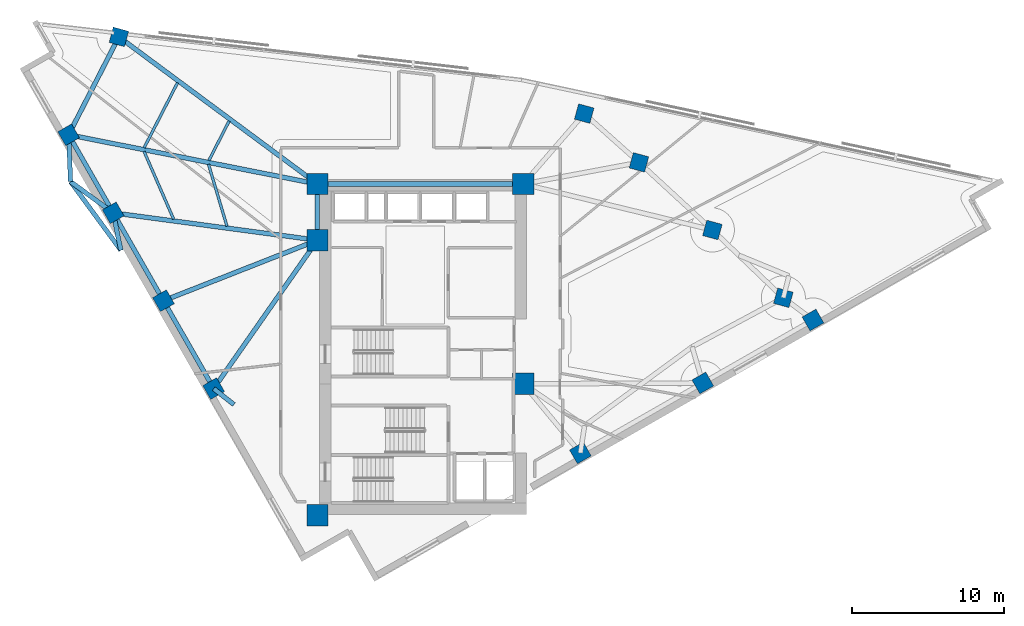
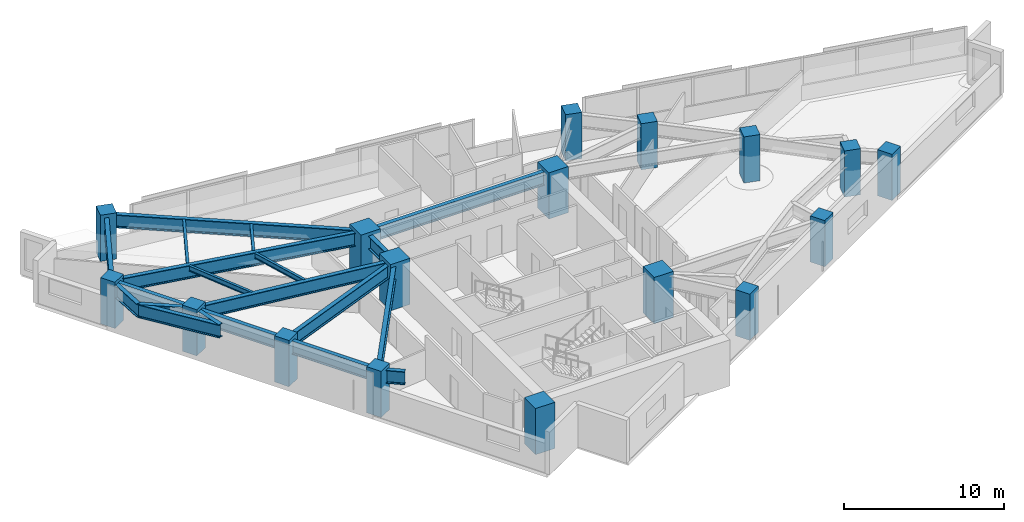
# One storey, part 1 of 13: 20 beams, 17 columns.
"""IFC4 building model written with IfcOpenShell, lengths in metres."""

import ifcopenshell
import ifcopenshell.guid

model = None  # the IFC model being written
_history = None  # IfcOwnerHistory: only IFC2X3 demands one
_inside = {}  # id of a spatial element -> (the spatial element, [elements in it])
_under = {}  # id of a project, library or spatial element -> (it, [spatial elements below it])
_declared = {}  # id of a project -> (the project, [libraries it declares])
_typed = {}  # id of a type object -> (the type object, [elements of that type])
_made_of = {}  # id of a material, layer set ... -> (it, [elements and type objects made of it])


def new_model(schema):
    """Start an empty IFC model of exactly this schema.

    Asked for "IFC4X3", IfcOpenShell would pick the latest addendum, in which some entities
    have other attributes; the version numbers below select the first issue.
    IFC2X3 requires an IfcOwnerHistory on every rooted entity: one is made here for all.
    """
    global model, _history
    if schema == "IFC4X3":
        model = ifcopenshell.file(schema_version=(4, 3, 0, 0))
    else:
        model = ifcopenshell.file(schema=schema)
    _inside.clear()
    _under.clear()
    _declared.clear()
    _typed.clear()
    _made_of.clear()
    _history = None
    if model.schema == "IFC2X3":
        org = make("IfcOrganization", Name="unknown")
        user = make(
            "IfcPersonAndOrganization",
            ThePerson=make("IfcPerson", FamilyName="unknown"),
            TheOrganization=org,
        )
        app = make(
            "IfcApplication",
            ApplicationDeveloper=org,
            Version="unknown",
            ApplicationFullName="unknown",
            ApplicationIdentifier="unknown",
        )
        _history = make(
            "IfcOwnerHistory",
            OwningUser=user,
            OwningApplication=app,
            ChangeAction="ADDED",
            CreationDate=0,
        )
    return model


def make(cls, **values):
    """One entity of the class cls with the attributes given. An attribute that is None is left unset."""
    return model.create_entity(
        cls, **{name: value for name, value in values.items() if value is not None}
    )


def rooted(cls, **values):
    """An entity with a GlobalId (a new one), such as an element, a storey or a relation."""
    return make(cls, GlobalId=ifcopenshell.guid.new(), OwnerHistory=_history, **values)


def si_unit(unit_type, name, prefix=None):
    """IfcSIUnit, for example si_unit("LENGTHUNIT", "METRE", prefix="MILLI")."""
    return make("IfcSIUnit", UnitType=unit_type, Prefix=prefix, Name=name)


def assignment(units):
    """IfcUnitAssignment: the units of a project."""
    return None if units is None else make("IfcUnitAssignment", Units=units)


def point(xyz):
    """IfcCartesianPoint."""
    return None if xyz is None else make("IfcCartesianPoint", Coordinates=xyz)


def direction(xyz):
    """IfcDirection."""
    return None if xyz is None else make("IfcDirection", DirectionRatios=xyz)


def frame(location, z_axis=None, x_axis=None):
    """IfcAxis2Placement3D, a coordinate frame: its origin and axes. An axis left out is left unset."""
    return make(
        "IfcAxis2Placement3D",
        Location=point(location),
        Axis=direction(z_axis),
        RefDirection=direction(x_axis),
    )


def frame_2d(location, x_axis=None):
    """IfcAxis2Placement2D, a coordinate frame in the plane: its origin and x axis."""
    return make(
        "IfcAxis2Placement2D", Location=point(location), RefDirection=direction(x_axis)
    )


def origin():
    """The frame at (0, 0, 0) with its axes left unset."""
    return frame((0.0, 0.0, 0.0))


def origin_2d():
    """The frame at (0, 0) in the plane with its x axis left unset."""
    return frame_2d((0.0, 0.0))


def place(relative_to, where):
    """IfcLocalPlacement: puts the frame where relative to a parent placement (None: the world)."""
    return make(
        "IfcLocalPlacement", PlacementRelTo=relative_to, RelativePlacement=where
    )


def context(
    kind, dimensions, precision=None, world=None, true_north=None, identifier=None
):
    """IfcGeometricRepresentationContext, for example the 3D "Model" context."""
    return make(
        "IfcGeometricRepresentationContext",
        ContextIdentifier=identifier,
        ContextType=kind,
        CoordinateSpaceDimension=dimensions,
        Precision=precision,
        WorldCoordinateSystem=world,
        TrueNorth=true_north,
    )


def subcontext(parent, identifier, kind, view, scale=None):
    """IfcGeometricRepresentationSubContext, for example "Body" below "Model"."""
    return make(
        "IfcGeometricRepresentationSubContext",
        ContextIdentifier=identifier,
        ContextType=kind,
        ParentContext=parent,
        TargetScale=scale,
        TargetView=view,
    )


def project(units=None, contexts=None):
    """IfcProject with its units and contexts."""
    return rooted(
        "IfcProject",
        Name="project",
        RepresentationContexts=contexts,
        UnitsInContext=assignment(units),
    )


def spatial(cls, under=None, at=None, **own):
    """A site, building, storey or space (cls), placed at a placement, below another one or the project."""
    s = rooted(cls, ObjectPlacement=at, **own)
    if under is not None:
        _under.setdefault(under.id(), (under, []))[1].append(s)
    return s


def profile(cls, at=None, kind="AREA", **sizes):
    """A parametric profile (cls). Its sizes go by their IFC names, for example OverallWidth=200.0."""
    return make(cls, ProfileType=kind, Position=at, **sizes)


def rectangle(**sizes):
    """IfcRectangleProfileDef."""
    return profile("IfcRectangleProfileDef", **sizes)


def i_section(**sizes):
    """IfcIShapeProfileDef."""
    return profile("IfcIShapeProfileDef", **sizes)


def extrude(swept, where, along, depth):
    """IfcExtrudedAreaSolid: the profile swept, set in the frame where, extruded along a direction by depth."""
    return make(
        "IfcExtrudedAreaSolid",
        SweptArea=swept,
        Position=where,
        ExtrudedDirection=direction(along),
        Depth=depth,
    )


def shape(context_of_items, identifier, shape_type, items):
    """IfcShapeRepresentation: the items that make up one representation, for example the "Body"."""
    return make(
        "IfcShapeRepresentation",
        ContextOfItems=context_of_items,
        RepresentationIdentifier=identifier,
        RepresentationType=shape_type,
        Items=items,
    )


def material(Name=None, Category=None):
    """IfcMaterial."""
    return make("IfcMaterial", Name=Name, Category=Category)


def material_profile(
    of_material, cross_section, Name=None, Category=None, Priority=None
):
    """IfcMaterialProfile: a cross section and its material."""
    return make(
        "IfcMaterialProfile",
        Name=Name,
        Material=of_material,
        Profile=cross_section,
        Priority=Priority,
        Category=Category,
    )


def profile_set(profiles, Name=None, composite=None):
    """IfcMaterialProfileSet."""
    return make(
        "IfcMaterialProfileSet",
        Name=Name,
        MaterialProfiles=profiles,
        CompositeProfile=composite,
    )


def made_of(thing, what):
    """Note that an element or type object is made of a material, layer set ...; save() writes the relation."""
    if what is not None:
        _made_of.setdefault(what.id(), (what, []))[1].append(thing)
    return thing


def type_object(cls, material=None, **own):
    """A type object (cls), such as IfcWallType, which elements share."""
    return made_of(rooted(cls, **own), material)


def element(
    cls,
    number,
    at=None,
    inside=None,
    cuts=None,
    type_object=None,
    material=None,
    context=None,
    identifier="Body",
    shape_type=None,
    held_by="IfcProductDefinitionShape",
    body=None,
    shapes=None,
    **own,
):
    """One element of the class cls, such as IfcWall. Its Tag is "e" and its number.

    at: its placement. inside: the storey or other place that contains it. cuts: it is an
    opening in that element (IfcRelVoidsElement). A single representation is given by context,
    identifier, shape_type and body (its items); several are given by shapes. held_by: the class
    of the entity that holds the representations. save() writes the other relations.
    """
    e = rooted(cls, Tag="e%d" % number, ObjectPlacement=at, **own)
    if body is not None:
        shapes = [shape(context, identifier, shape_type, body)]
    if shapes is not None:
        e.Representation = make(held_by, Representations=shapes)
    if inside is not None:
        _inside.setdefault(inside.id(), (inside, []))[1].append(e)
    if cuts is not None:
        rooted(
            "IfcRelVoidsElement", RelatingBuildingElement=cuts, RelatedOpeningElement=e
        )
    if type_object is not None:
        _typed.setdefault(type_object.id(), (type_object, []))[1].append(e)
    return made_of(e, material)


def aggregate(whole, parts):
    """IfcRelAggregates: a whole, such as a stair, and the parts it consists of."""
    return rooted("IfcRelAggregates", RelatingObject=whole, RelatedObjects=parts)


def save(model, path):
    """Write the relations noted so far, then the file.

    IfcRelAggregates (storeys below a building ...), IfcRelContainedInSpatialStructure (elements
    in a storey), IfcRelDefinesByType, IfcRelAssociatesMaterial and IfcRelDeclares: one each for
    every whole, place, type object, material and project.
    """
    for whole, parts in _under.values():
        aggregate(whole, parts)
    for where, things in _inside.values():
        rooted(
            "IfcRelContainedInSpatialStructure",
            RelatedElements=things,
            RelatingStructure=where,
        )
    for kind, things in _typed.values():
        rooted("IfcRelDefinesByType", RelatedObjects=things, RelatingType=kind)
    for what, things in _made_of.values():
        rooted("IfcRelAssociatesMaterial", RelatedObjects=things, RelatingMaterial=what)
    for by, libraries in _declared.values():
        rooted("IfcRelDeclares", RelatingContext=by, RelatedDefinitions=libraries)
    model.write(path)


model = new_model("IFC4")

# Units and contexts
model_context = context("Model", 3, precision=1e-05, world=origin(), true_north=direction((0.0, 1.0)))
body_context = subcontext(model_context, "Body", "Model", "MODEL_VIEW")
ifc_project = project(units=[si_unit("LENGTHUNIT", "METRE"), si_unit("AREAUNIT", "SQUARE_METRE"), si_unit("VOLUMEUNIT", "CUBIC_METRE"), si_unit("PLANEANGLEUNIT", "RADIAN"), si_unit("MASSUNIT", "GRAM", prefix="KILO")], contexts=[model_context])

# Site, building, storey
site_placement = place(None, origin())
site = spatial("IfcSite", under=ifc_project, at=site_placement, CompositionType="ELEMENT")
building_placement = place(site_placement, origin())
building = spatial("IfcBuilding", under=site, at=building_placement, Name="Narakoshi Arena Tower", CompositionType="ELEMENT")
storey_placement = place(building_placement, frame((0.0, 0.0, 229.06005859375)))
storey = spatial("IfcBuildingStorey", under=building, at=storey_placement, Name="L62", CompositionType="ELEMENT", Elevation=229.06005859375)

# Columns
ifc_material_1 = material(Name="Concrete C50/60", Category="concrete")
ifc_material_profile_1 = material_profile(ifc_material_1, rectangle(XDim=1.050048828125, YDim=1.050048828125, at=origin_2d()), Name="RC1050x1050")
ifc_profile_set_1 = profile_set([ifc_material_profile_1], Name="Concrete C50/60")
column_type_1 = type_object("IfcColumnType", Name="COL-RC1050", PredefinedType="COLUMN", material=ifc_profile_set_1)
for number, where, z_axis, x_axis, name in (
    (1, (89.30810546875, 38.798583984375, 0.0), (0.0, 0.0, 1.0), (0.868198814489, 0.496216503675, 0.0), "L62 Tower Perimeter Column TC01"),
    (2, (97.366943359375, 43.404541015625, 0.0), (0.0, 0.0, 1.0), (0.868198814489, 0.496216503675, 0.0), "L62 Tower Perimeter Column TC02"),
    (3, (104.619873046875, 47.550048828125, 0.0), (0.0, 0.0, 1.0), (0.868198814489, 0.496216503675, 0.0), "L62 Tower Perimeter Column TC03"),
    (4, (102.668701171875, 49.009521484375, 0.0), (0.0, 0.0, 1.0), (0.263031214458, 0.964787323829, 0.0), "L62 Tower Perimeter Column TC05"),
    (5, (97.997802734375, 53.47509765625, 0.0), (0.0, 0.0, 1.0), (0.263031214458, 0.964787323829, 0.0), "L62 Tower Perimeter Column TC06"),
    (6, (93.16650390625, 57.923828125, 0.0), (0.0, 0.0, 1.0), (0.263031214458, 0.964787323829, 0.0), "L62 Tower Perimeter Column TC07"),
    (7, (89.5615234375, 61.134765625, 0.0), (0.0, 0.0, 1.0), (0.263031214458, 0.964787323829, 0.0), "L62 Tower Perimeter Column TC08"),
    (8, (58.934326171875, 66.183837890625, 0.0), (0.0, 0.0, 1.0), (0.263031214458, 0.964787323829, 0.0), "L62 Tower Perimeter Column TC10"),
    (9, (55.624755859375, 59.74169921875, 0.0), (0.0, 0.0, 1.0), (-0.496216503675, 0.868198814489, 0.0), "L62 Tower Perimeter Column TC13"),
    (10, (58.562744140625, 54.60107421875, 0.0), (0.0, 0.0, 1.0), (-0.496216503675, 0.868198814489, 0.0), "L62 Tower Perimeter Column TC14"),
    (11, (61.8681640625, 48.81787109375, 0.0), (0.0, 0.0, 1.0), (-0.496216503675, 0.868198814489, 0.0), "L62 Tower Perimeter Column TC15"),
    (12, (65.17333984375, 43.03466796875, 0.0), (0.0, 0.0, 1.0), (-0.496216503675, 0.868198814489, 0.0), "L62 Tower Perimeter Column TC16"),
):
    element("IfcColumn", number, at=place(storey_placement, frame(where, z_axis=z_axis, x_axis=x_axis)), inside=storey, type_object=column_type_1, Name=name, PredefinedType="COLUMN", context=body_context, shape_type="SweptSolid", body=[
        extrude(rectangle(XDim=1.050048828125, YDim=1.050048828125, at=origin_2d()), origin(), (0.0, 0.0, 1.0), 3.52001953125),
    ])
ifc_material_2 = material(Name="Concrete C60/75", Category="concrete")
ifc_material_profile_2 = material_profile(ifc_material_2, rectangle(XDim=1.39990234375, YDim=1.39990234375, at=origin_2d()), Name="RC1400x1400")
ifc_profile_set_2 = profile_set([ifc_material_profile_2], Name="Concrete C60/75")
column_type_2 = type_object("IfcColumnType", Name="COL-RC1400", PredefinedType="COLUMN", material=ifc_profile_set_2)
for number, where, z_axis, x_axis, name in (
    (13, (72.0, 34.699951171875, 0.0), (0.0, 0.0, 1.0), (1.0, 0.0, 0.0), "L62 Core Structural Column CC1"),
    (14, (85.550048828125, 43.35009765625, 0.0), (0.0, 0.0, 1.0), (1.0, 0.0, 0.0), "L62 Core Structural Column CC3"),
    (15, (72.0, 52.800048828125, 0.0), (0.0, 0.0, 1.0), (1.0, 0.0, 0.0), "L62 Core Structural Column CC4"),
    (16, (72.0, 56.5, 0.0), (0.0, 0.0, 1.0), (1.0, 0.0, 0.0), "L62 Core Structural Column CC5"),
    (17, (85.550048828125, 56.5, 0.0), (0.0, 0.0, 1.0), (1.0, 0.0, 0.0), "L62 Core Structural Column CC6"),
):
    element("IfcColumn", number, at=place(storey_placement, frame(where, z_axis=z_axis, x_axis=x_axis)), inside=storey, type_object=column_type_2, Name=name, PredefinedType="COLUMN", context=body_context, shape_type="SweptSolid", body=[
        extrude(rectangle(XDim=1.39990234375, YDim=1.39990234375, at=origin_2d()), origin(), (0.0, 0.0, 1.0), 3.52001953125),
    ])

# Beams
ifc_material_3 = material(Name="Structural steel S355J2", Category="steel")
ifc_material_profile_3 = material_profile(ifc_material_3, i_section(OverallWidth=0.179931640625, OverallDepth=0.39990234375, WebThickness=0.008544921875, FlangeThickness=0.013427734375, FilletRadius=0.02099609375, at=origin_2d()), Name="IPE400")
ifc_profile_set_3 = profile_set([ifc_material_profile_3], Name="Structural steel S355J2")
beam_type_1 = type_object("IfcBeamType", Name="BM-SEC-400", PredefinedType="JOIST", material=ifc_profile_set_3)
beam_1_placement = place(storey_placement, frame((66.189453125, 60.640869140625, 3.06005859375), z_axis=(-0.456929991759, -0.889502660272, 0.0), x_axis=(0.889502660272, -0.456929991759, 0.0)))
element("IfcBeam", 18, at=beam_1_placement, inside=storey, type_object=beam_type_1, Name="L62 Composite Secondary Floor Joist 01", PredefinedType="JOIST", context=body_context, shape_type="SweptSolid", body=[
    extrude(i_section(OverallWidth=0.179931640625, OverallDepth=0.39990234375, WebThickness=0.008544921875, FlangeThickness=0.013427734375, FilletRadius=0.02099609375, at=origin_2d()), origin(), (0.0, 0.0, 1.0), 2.916748046875),
])
beam_2_placement = place(storey_placement, frame((62.792236328125, 63.15869140625, 3.06005859375), z_axis=(-0.456912378331, -0.889511707921, 0.0), x_axis=(0.889511707921, -0.456912378331, 0.0)))
element("IfcBeam", 19, at=beam_2_placement, inside=storey, type_object=beam_type_1, Name="L62 Composite Secondary Floor Joist 02", PredefinedType="JOIST", context=body_context, shape_type="SweptSolid", body=[
    extrude(i_section(OverallWidth=0.179931640625, OverallDepth=0.39990234375, WebThickness=0.008544921875, FlangeThickness=0.013427734375, FilletRadius=0.02099609375, at=origin_2d()), origin(), (0.0, 0.0, 1.0), 4.7998046875),
])
beam_3_placement = place(storey_placement, frame((64.83349609375, 57.796875, 3.06005859375), z_axis=(0.285841192942, -0.958277001925, 0.0), x_axis=(0.958277001925, 0.285841192942, 0.0)))
element("IfcBeam", 20, at=beam_3_placement, inside=storey, type_object=beam_type_1, Name="L62 Composite Secondary Floor Joist 03", PredefinedType="JOIST", context=body_context, shape_type="SweptSolid", body=[
    extrude(i_section(OverallWidth=0.179931640625, OverallDepth=0.39990234375, WebThickness=0.008544921875, FlangeThickness=0.013427734375, FilletRadius=0.02099609375, at=origin_2d()), origin(), (0.0, 0.0, 1.0), 4.252685546875),
])
beam_4_placement = place(storey_placement, frame((60.59130859375, 58.6455078125, 3.06005859375), z_axis=(0.400253122957, -0.916404625459, 0.0), x_axis=(0.916404625459, 0.400253122957, 0.0)))
element("IfcBeam", 21, at=beam_4_placement, inside=storey, type_object=beam_type_1, Name="L62 Composite Secondary Floor Joist 04", PredefinedType="JOIST", context=body_context, shape_type="SweptSolid", body=[
    extrude(i_section(OverallWidth=0.179931640625, OverallDepth=0.39990234375, WebThickness=0.008544921875, FlangeThickness=0.013427734375, FilletRadius=0.02099609375, at=origin_2d()), origin(), (0.0, 0.0, 1.0), 4.8681640625),
])
ifc_material_4 = material(Name="Structural steel S460ML", Category="steel")
ifc_material_profile_4 = material_profile(ifc_material_4, i_section(OverallWidth=0.302001953125, OverallDepth=1.008056640625, WebThickness=0.02099609375, FlangeThickness=0.0400390625, FilletRadius=0.030029296875, at=origin_2d()), Name="HE1000M")
ifc_profile_set_4 = profile_set([ifc_material_profile_4], Name="Structural steel S460ML")
beam_type_2 = type_object("IfcBeamType", Name="BM-XFER-1000", PredefinedType="BEAM", material=ifc_profile_set_4)
beam_5_placement = place(storey_placement, frame((58.934326171875, 66.183837890625, 2.755859375), z_axis=(-0.45696256568, -0.889485926571, 0.0), x_axis=(0.889485926571, -0.45696256568, 0.0)))
element("IfcBeam", 22, at=beam_5_placement, inside=storey, type_object=beam_type_2, Name="L62 Perimeter Transfer Ring Girder 08", PredefinedType="BEAM", context=body_context, shape_type="SweptSolid", body=[
    extrude(i_section(OverallWidth=0.302001953125, OverallDepth=1.008056640625, WebThickness=0.02099609375, FlangeThickness=0.0400390625, FilletRadius=0.030029296875, at=origin_2d()), origin(), (0.0, 0.0, 1.0), 7.242431640625),
])
beam_6_placement = place(storey_placement, frame((55.624755859375, 59.74169921875, 2.755859375), z_axis=(0.496201104161, -0.868207615856, 0.0), x_axis=(0.868207615856, 0.496201104161, 0.0)))
element("IfcBeam", 23, at=beam_6_placement, inside=storey, type_object=beam_type_2, Name="L62 Perimeter Transfer Ring Girder 09", PredefinedType="BEAM", context=body_context, shape_type="SweptSolid", body=[
    extrude(i_section(OverallWidth=0.302001953125, OverallDepth=1.008056640625, WebThickness=0.02099609375, FlangeThickness=0.0400390625, FilletRadius=0.030029296875, at=origin_2d()), origin(), (0.0, 0.0, 1.0), 5.9208984375),
])
for number, where, z_axis, x_axis, name in (
    (24, (58.562744140625, 54.60107421875, 2.755859375), (0.496221824399, -0.868195773423, 0.0), (0.868195773423, 0.496221824399, 0.0), "L62 Perimeter Transfer Ring Girder 10"),
    (25, (61.8681640625, 48.81787109375, 2.755859375), (0.496194197226, -0.868211563295, 0.0), (0.868211563295, 0.496194197226, 0.0), "L62 Perimeter Transfer Ring Girder 11"),
):
    element("IfcBeam", number, at=place(storey_placement, frame(where, z_axis=z_axis, x_axis=x_axis)), inside=storey, type_object=beam_type_2, Name=name, PredefinedType="BEAM", context=body_context, shape_type="SweptSolid", body=[
        extrude(i_section(OverallWidth=0.302001953125, OverallDepth=1.008056640625, WebThickness=0.02099609375, FlangeThickness=0.0400390625, FilletRadius=0.030029296875, at=origin_2d()), origin(), (0.0, 0.0, 1.0), 6.6611328125),
    ])
beam_7_placement = place(storey_placement, frame((72.0, 52.800048828125, 2.755859375), z_axis=(-0.930694784397, -0.365796689838, 0.0), x_axis=(0.365796689838, -0.930694784397, 0.0)))
element("IfcBeam", 26, at=beam_7_placement, inside=storey, type_object=beam_type_2, Name="L62 Lower Transfer Radial Girder 11", PredefinedType="BEAM", context=body_context, shape_type="SweptSolid", body=[
    extrude(i_section(OverallWidth=0.302001953125, OverallDepth=1.008056640625, WebThickness=0.02099609375, FlangeThickness=0.0400390625, FilletRadius=0.030029296875, at=origin_2d()), origin(), (0.0, 0.0, 1.0), 10.88623046875),
])
beam_8_placement = place(storey_placement, frame((72.0, 52.800048828125, 2.755859375), z_axis=(-0.572949287291, -0.819590821198, 0.0), x_axis=(0.819590821198, -0.572949287291, 0.0)))
element("IfcBeam", 27, at=beam_8_placement, inside=storey, type_object=beam_type_2, Name="L62 Lower Transfer Radial Girder 12", PredefinedType="BEAM", context=body_context, shape_type="SweptSolid", body=[
    extrude(i_section(OverallWidth=0.302001953125, OverallDepth=1.008056640625, WebThickness=0.02099609375, FlangeThickness=0.0400390625, FilletRadius=0.030029296875, at=origin_2d()), origin(), (0.0, 0.0, 1.0), 11.9150390625),
])
beam_9_placement = place(storey_placement, frame((55.624755859375, 59.74169921875, 2.755859375), z_axis=(0.041637117285, -0.999132799213, 0.0), x_axis=(0.999132799213, 0.041637117285, 0.0)))
element("IfcBeam", 28, at=beam_9_placement, inside=storey, type_object=beam_type_2, Name="L62 Block-Turn Transfer Node Girder 09-1", PredefinedType="BEAM", context=body_context, shape_type="SweptSolid", body=[
    extrude(i_section(OverallWidth=0.302001953125, OverallDepth=1.008056640625, WebThickness=0.02099609375, FlangeThickness=0.0400390625, FilletRadius=0.030029296875, at=origin_2d()), origin(), (0.0, 0.0, 1.0), 3.090087890625),
])
beam_10_placement = place(storey_placement, frame((58.562744140625, 54.60107421875, 2.755859375), z_axis=(-0.807356411885, 0.590064084814, 0.0), x_axis=(-0.590064084814, -0.807356411885, 0.0)))
element("IfcBeam", 29, at=beam_10_placement, inside=storey, type_object=beam_type_2, Name="L62 Block-Turn Transfer Node Girder 09-2", PredefinedType="BEAM", context=body_context, shape_type="SweptSolid", body=[
    extrude(i_section(OverallWidth=0.302001953125, OverallDepth=1.008056640625, WebThickness=0.02099609375, FlangeThickness=0.0400390625, FilletRadius=0.030029296875, at=origin_2d()), origin(), (0.0, 0.0, 1.0), 3.479736328125),
])
beam_11_placement = place(storey_placement, frame((58.562744140625, 54.60107421875, 2.755859375), z_axis=(0.199312316506, -0.979936018569, 0.0), x_axis=(0.979936018569, 0.199312316506, 0.0)))
element("IfcBeam", 30, at=beam_11_placement, inside=storey, type_object=beam_type_2, Name="L62 Block-Turn Transfer Node Girder 10-1", PredefinedType="BEAM", context=body_context, shape_type="SweptSolid", body=[
    extrude(i_section(OverallWidth=0.302001953125, OverallDepth=1.008056640625, WebThickness=0.02099609375, FlangeThickness=0.0400390625, FilletRadius=0.030029296875, at=origin_2d()), origin(), (0.0, 0.0, 1.0), 2.510986328125),
])
beam_12_placement = place(storey_placement, frame((65.17333984375, 43.03466796875, 2.755859375), z_axis=(0.786134019263, -0.618056068458, 0.0), x_axis=(0.618056068458, 0.786134019263, 0.0)))
element("IfcBeam", 31, at=beam_12_placement, inside=storey, type_object=beam_type_2, Name="L62 Block-Turn Transfer Node Girder 12-1", PredefinedType="BEAM", context=body_context, shape_type="SweptSolid", body=[
    extrude(i_section(OverallWidth=0.302001953125, OverallDepth=1.008056640625, WebThickness=0.02099609375, FlangeThickness=0.0400390625, FilletRadius=0.030029296875, at=origin_2d()), origin(), (0.0, 0.0, 1.0), 1.700927734375),
])
beam_13_placement = place(storey_placement, frame((55.75341796875, 56.654296875, 2.755859375), z_axis=(0.591318280641, -0.806438274749, 0.0), x_axis=(0.806438274749, 0.591318280641, 0.0)))
element("IfcBeam", 32, at=beam_13_placement, inside=storey, type_object=beam_type_2, Name="L62 Upper-Block Transfer Ring Girder 09", PredefinedType="BEAM", context=body_context, shape_type="SweptSolid", body=[
    extrude(i_section(OverallWidth=0.302001953125, OverallDepth=1.008056640625, WebThickness=0.02099609375, FlangeThickness=0.0400390625, FilletRadius=0.030029296875, at=origin_2d()), origin(), (0.0, 0.0, 1.0), 5.597412109375),
])
beam_14_placement = place(storey_placement, frame((72.0, 56.5, 2.755859375), z_axis=(-0.803393614053, 0.595448319252, 0.0), x_axis=(-0.595448319252, -0.803393614053, 0.0)))
element("IfcBeam", 33, at=beam_14_placement, inside=storey, type_object=beam_type_2, Name="L62 Radial Primary Floor Girder 08", PredefinedType="BEAM", context=body_context, shape_type="SweptSolid", body=[
    extrude(i_section(OverallWidth=0.302001953125, OverallDepth=1.008056640625, WebThickness=0.02099609375, FlangeThickness=0.0400390625, FilletRadius=0.030029296875, at=origin_2d()), origin(), (0.0, 0.0, 1.0), 16.26318359375),
])
beam_15_placement = place(storey_placement, frame((72.0, 56.5, 2.755859375), z_axis=(-0.980962989548, 0.194194781435, 0.0), x_axis=(-0.194194781435, -0.980962989548, 0.0)))
element("IfcBeam", 34, at=beam_15_placement, inside=storey, type_object=beam_type_2, Name="L62 Radial Primary Floor Girder 09", PredefinedType="BEAM", context=body_context, shape_type="SweptSolid", body=[
    extrude(i_section(OverallWidth=0.302001953125, OverallDepth=1.008056640625, WebThickness=0.02099609375, FlangeThickness=0.0400390625, FilletRadius=0.030029296875, at=origin_2d()), origin(), (0.0, 0.0, 1.0), 16.693115234375),
])
beam_16_placement = place(storey_placement, frame((72.0, 52.800048828125, 2.755859375), z_axis=(-0.991136919777, 0.132844293268, 0.0), x_axis=(-0.132844293268, -0.991136919777, 0.0)))
element("IfcBeam", 35, at=beam_16_placement, inside=storey, type_object=beam_type_2, Name="L62 Radial Primary Floor Girder 10", PredefinedType="BEAM", context=body_context, shape_type="SweptSolid", body=[
    extrude(i_section(OverallWidth=0.302001953125, OverallDepth=1.008056640625, WebThickness=0.02099609375, FlangeThickness=0.0400390625, FilletRadius=0.030029296875, at=origin_2d()), origin(), (0.0, 0.0, 1.0), 13.557373046875),
])
beam_17_placement = place(storey_placement, frame((72.0, 52.800048828125, 2.755859375), z_axis=(0.0, 1.0, 0.0), x_axis=(-1.0, 0.0, 0.0)))
element("IfcBeam", 36, at=beam_17_placement, inside=storey, type_object=beam_type_2, Name="L62 Core Perimeter Frame Beam CC4-CC5", PredefinedType="BEAM", context=body_context, shape_type="SweptSolid", body=[
    extrude(i_section(OverallWidth=0.302001953125, OverallDepth=1.008056640625, WebThickness=0.02099609375, FlangeThickness=0.0400390625, FilletRadius=0.030029296875, at=origin_2d()), origin(), (0.0, 0.0, 1.0), 3.699951171875),
])
beam_18_placement = place(storey_placement, frame((72.0, 56.5, 2.755859375), z_axis=(1.0, 0.0, 0.0), x_axis=(0.0, 1.0, 0.0)))
element("IfcBeam", 37, at=beam_18_placement, inside=storey, type_object=beam_type_2, Name="L62 Core Perimeter Frame Beam CC5-CC6", PredefinedType="BEAM", context=body_context, shape_type="SweptSolid", body=[
    extrude(i_section(OverallWidth=0.302001953125, OverallDepth=1.008056640625, WebThickness=0.02099609375, FlangeThickness=0.0400390625, FilletRadius=0.030029296875, at=origin_2d()), origin(), (0.0, 0.0, 1.0), 13.550048828125),
])

save(model, "model.ifc")
